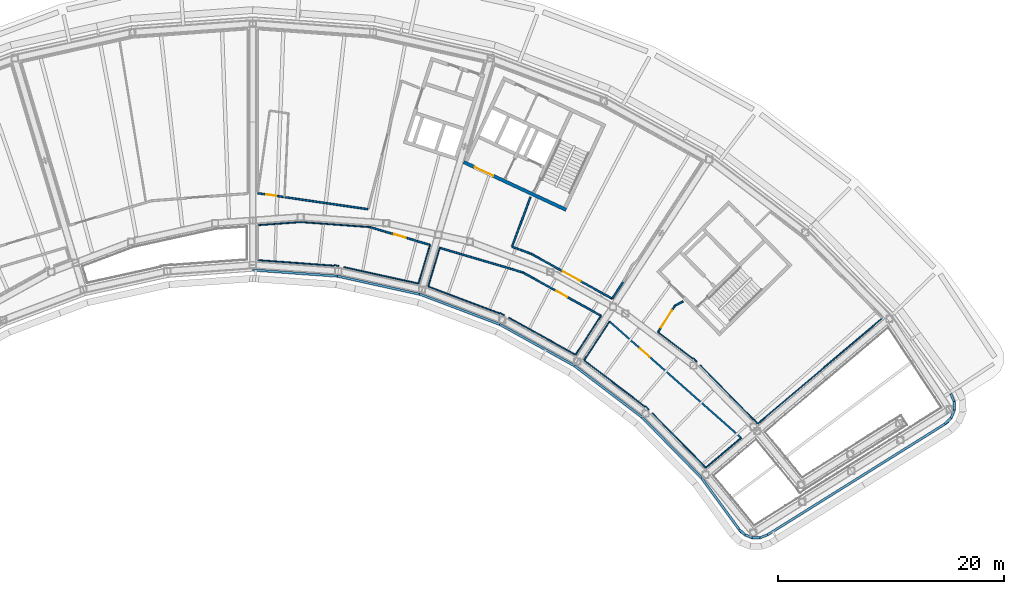
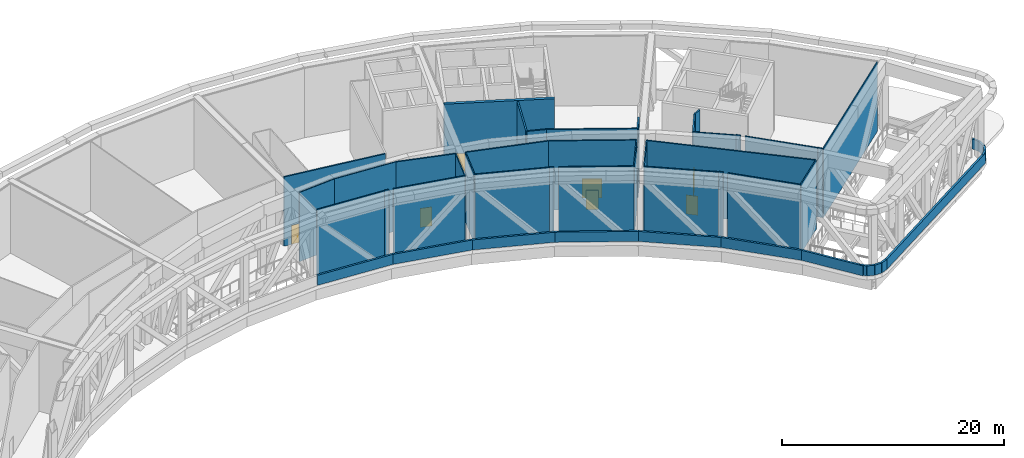
# One storey, part 9 of 24: 49 walls, 7 doors, 7 openings.
"""IFC4 building model written with IfcOpenShell, lengths in metres."""

from ifc_helpers import new_model, si_unit, direction, frame, frame_2d, origin, place, context, subcontext, project, spatial, rectangle, extrude, material, layer, layer_set, type_object, element, fill, save


model = new_model("IFC4")

# Units and contexts
model_context = context("Model", 3, precision=1e-05, world=origin(), true_north=direction((0.0, 1.0)))
body_context = subcontext(model_context, "Body", "Model", "MODEL_VIEW")
ifc_project = project(units=[si_unit("LENGTHUNIT", "METRE"), si_unit("AREAUNIT", "SQUARE_METRE"), si_unit("VOLUMEUNIT", "CUBIC_METRE"), si_unit("PLANEANGLEUNIT", "RADIAN"), si_unit("MASSUNIT", "GRAM", prefix="KILO")], contexts=[model_context])

# Site, building, storey
site_placement = place(None, origin())
site = spatial("IfcSite", under=ifc_project, at=site_placement, CompositionType="ELEMENT")
building_placement = place(site_placement, origin())
building = spatial("IfcBuilding", under=site, at=building_placement, Name="Tuul Gate Civic Tower", CompositionType="ELEMENT")
storey_placement = place(building_placement, frame((0.0, 0.0, 277.800048828125)))
storey = spatial("IfcBuildingStorey", under=building, at=storey_placement, Name="Wind floor 2", CompositionType="ELEMENT", Elevation=277.800048828125)

# Wall, opening, door
ifc_material_1 = material(Name="Concrete C50/60", Category="concrete")
ifc_layer_1 = layer(ifc_material_1, 0.300048828125)
ifc_layer_set_1 = layer_set([ifc_layer_1], Name="Concrete C50/60")
wall_type_1 = type_object("IfcWallType", Name="Core wall C50/60", PredefinedType="SHEAR", material=ifc_layer_set_1)
wall_1_placement = place(storey_placement, frame((34.5283203125, -7.25, 0.0), z_axis=(0.0, 0.0, 1.0), x_axis=(-0.906310338845, 0.422612789327, 0.0)))
wall_1 = element("IfcWall", 1, at=wall_1_placement, inside=storey, type_object=wall_type_1, Name="Core wall", PredefinedType="SHEAR", context=body_context, shape_type="SweptSolid", body=[
    extrude(rectangle(XDim=9.999755859375, YDim=0.300048828125, at=frame_2d((5.0, 0.0))), origin(), (0.0, 0.0, 1.0), 7.599853515625),
])
opening_1_placement = place(wall_1_placement, frame((7.125, 0.0, 0.0)))
opening_1 = element("IfcOpeningElement", 2, at=opening_1_placement, cuts=wall_1, Name="Opening LB-E3-LOBBY-1", PredefinedType="OPENING", context=body_context, shape_type="SweptSolid", body=[
    extrude(rectangle(XDim=1.800048828125, YDim=2.10009765625, at=frame_2d((0.89990234375, 1.050048828125))), frame((0.0, 0.16015625, 0.0), z_axis=(0.0, -1.0, 0.0), x_axis=(1.0, 0.0, 0.0)), (0.0, 0.0, 1.0), 0.320068359375),
])
ifc_material_2 = material(Name="Steel", Category="steel")
door_type_1 = type_object("IfcDoorType", Name="Lobby door", OperationType="DOUBLE_DOOR_SINGLE_SWING", PredefinedType="DOOR", material=ifc_material_2)
door_1_placement = place(opening_1_placement, frame((1.800048828125, 0.0, 0.0), z_axis=(0.0, 0.0, 1.0), x_axis=(-1.0, 0.0, 0.0)))
door_1 = element("IfcDoor", 3, at=door_1_placement, inside=storey, type_object=door_type_1, Name="Lobby door E3-LOBBY", OperationType="DOUBLE_DOOR_SINGLE_SWING", OverallHeight=2.10009765625, OverallWidth=1.800048828125, PredefinedType="DOOR", context=body_context, shape_type="SweptSolid", body=[
    extrude(rectangle(XDim=1.800048828125, YDim=2.10009765625, at=frame_2d((0.900146484375, 1.050048828125))), frame((0.0, 0.02490234375, 0.0), z_axis=(0.0, -1.0, 0.0), x_axis=(1.0, 0.0, 0.0)), (0.0, 0.0, 1.0), 0.050048828125),
])
fill(opening_1, door_1)

ifc_material_3 = material(Name="Gypsum board partition")
ifc_layer_2 = layer(ifc_material_3, 0.14990234375)
ifc_layer_set_2 = layer_set([ifc_layer_2], Name="Gypsum board partition")
wall_type_2 = type_object("IfcWallType", Name="Corridor wall P150", PredefinedType="PARTITIONING", material=ifc_layer_set_2)
wall_2_placement = place(storey_placement, frame((42.66748046875, -18.080078125, 0.0), z_axis=(0.0, 0.0, 1.0), x_axis=(0.538401389077, 0.842688521483, 0.0)))
wall_2 = element("IfcWall", 4, at=wall_2_placement, inside=storey, type_object=wall_type_2, Name="p007", PredefinedType="PARTITIONING", context=body_context, shape_type="SweptSolid", body=[
    extrude(rectangle(XDim=2.783203125, YDim=0.14990234375, at=frame_2d((1.3916015625, 0.0))), origin(), (0.0, 0.0, 1.0), 7.599853515625),
])
opening_2_placement = place(wall_2_placement, frame((0.49169921875, 0.0, 0.0)))
opening_2 = element("IfcOpeningElement", 5, at=opening_2_placement, cuts=wall_2, Name="Opening AG-D02", PredefinedType="OPENING", context=body_context, shape_type="SweptSolid", body=[
    extrude(rectangle(XDim=1.800048828125, YDim=2.10009765625, at=frame_2d((0.89990234375, 1.050048828125))), frame((0.0, 0.0849609375, 0.0), z_axis=(0.0, -1.0, 0.0), x_axis=(1.0, 0.0, 0.0)), (0.0, 0.0, 1.0), 0.169921875),
])
ifc_material_4 = material(Name="Timber door leaf, double", Category="wood")
door_type_2 = type_object("IfcDoorType", Name="Door D18", OperationType="DOUBLE_DOOR_SINGLE_SWING", PredefinedType="DOOR", material=ifc_material_4)
door_2_placement = place(opening_2_placement, frame((1.800048828125, 0.0, 0.0), z_axis=(0.0, 0.0, 1.0), x_axis=(-1.0, 0.0, 0.0)))
door_2 = element("IfcDoor", 6, at=door_2_placement, inside=storey, type_object=door_type_2, Name="Door AG-D02", OperationType="DOUBLE_DOOR_SINGLE_SWING", OverallHeight=2.10009765625, OverallWidth=1.800048828125, PredefinedType="DOOR", context=body_context, shape_type="SweptSolid", body=[
    extrude(rectangle(XDim=1.800048828125, YDim=2.10009765625, at=frame_2d((0.900146484375, 1.050048828125))), frame((0.0, 0.02490234375, 0.0), z_axis=(0.0, -1.0, 0.0), x_axis=(1.0, 0.0, 0.0)), (0.0, 0.0, 1.0), 0.050048828125),
])
fill(opening_2, door_2)

# Wall
wall_3_placement = place(storey_placement, frame((44.172607421875, -15.7294921875, 0.0), z_axis=(0.0, 0.0, 1.0), x_axis=(0.885192937548, 0.465224100102, 0.0)))
element("IfcWall", 7, at=wall_3_placement, inside=storey, type_object=wall_type_2, Name="p008", PredefinedType="PARTITIONING", context=body_context, shape_type="SweptSolid", body=[
    extrude(rectangle(XDim=0.809326171875, YDim=0.14990234375, at=frame_2d((0.40478515625, 0.0))), origin(), (0.0, 0.0, 1.0), 7.599853515625),
])

# Wall, opening, door
wall_4_placement = place(storey_placement, frame((38.36669921875, -17.127685546875, 0.0), z_axis=(0.0, 0.0, 1.0), x_axis=(0.74933705391, -0.662188779456, 0.0)))
wall_4 = element("IfcWall", 8, at=wall_4_placement, inside=storey, type_object=wall_type_2, Name="p010", PredefinedType="PARTITIONING", context=body_context, shape_type="SweptSolid", body=[
    extrude(rectangle(XDim=15.556396484375, YDim=0.14990234375, at=frame_2d((7.7783203125, 0.0))), origin(), (0.0, 0.0, 1.0), 7.599853515625),
])
opening_3_placement = place(wall_4_placement, frame((3.6279296875, 0.0, 0.0)))
opening_3 = element("IfcOpeningElement", 9, at=opening_3_placement, cuts=wall_4, Name="Opening AG-D03", PredefinedType="OPENING", context=body_context, shape_type="SweptSolid", body=[
    extrude(rectangle(XDim=1.10009765625, YDim=2.10009765625, at=frame_2d((0.550048828125, 1.050048828125))), frame((0.0, 0.0849609375, 0.0), z_axis=(0.0, -1.0, 0.0), x_axis=(1.0, 0.0, 0.0)), (0.0, 0.0, 1.0), 0.169921875),
])
ifc_material_5 = material(Name="Timber door leaf", Category="wood")
door_type_3 = type_object("IfcDoorType", Name="Door D11", OperationType="NOTDEFINED", PredefinedType="DOOR", material=ifc_material_5)
door_3_placement = place(opening_3_placement, frame((1.10009765625, 0.0, 0.0), z_axis=(0.0, 0.0, 1.0), x_axis=(-1.0, 0.0, 0.0)))
door_3 = element("IfcDoor", 10, at=door_3_placement, inside=storey, type_object=door_type_3, Name="Door AG-D03", OperationType="SINGLE_SWING_LEFT", OverallHeight=2.10009765625, OverallWidth=1.10009765625, PredefinedType="DOOR", context=body_context, shape_type="SweptSolid", body=[
    extrude(rectangle(XDim=1.10009765625, YDim=2.10009765625, at=frame_2d((0.550048828125, 1.050048828125))), frame((0.0, 0.02490234375, 0.0), z_axis=(0.0, -1.0, 0.0), x_axis=(1.0, 0.0, 0.0)), (0.0, 0.0, 1.0), 0.050048828125),
])
fill(opening_3, door_3)

# Wall
wall_5_placement = place(storey_placement, frame((38.607666015625, -15.1123046875, 0.0), z_axis=(0.0, 0.0, 1.0), x_axis=(0.546880852499, 0.837210447361, 0.0)))
element("IfcWall", 11, at=wall_5_placement, inside=storey, type_object=wall_type_2, Name="p011", PredefinedType="PARTITIONING", context=body_context, shape_type="SweptSolid", body=[
    extrude(rectangle(XDim=1.78515625, YDim=0.14990234375, at=frame_2d((0.892578125, 0.0))), origin(), (0.0, 0.0, 1.0), 7.599853515625),
])

# Wall, opening, door
wall_6_placement = place(storey_placement, frame((31.4404296875, -11.14599609375, 0.0), z_axis=(0.0, 0.0, 1.0), x_axis=(0.874965811505, -0.484184705147, 0.0)))
wall_6 = element("IfcWall", 12, at=wall_6_placement, inside=storey, type_object=wall_type_2, Name="p014", PredefinedType="PARTITIONING", context=body_context, shape_type="SweptSolid", body=[
    extrude(rectangle(XDim=8.191650390625, YDim=0.14990234375, at=frame_2d((4.095703125, 0.0))), origin(), (0.0, 0.0, 1.0), 7.599853515625),
])
opening_4_placement = place(wall_6_placement, frame((3.19580078125, 0.0, 0.0)))
opening_4 = element("IfcOpeningElement", 13, at=opening_4_placement, cuts=wall_6, Name="Opening AG-D04", PredefinedType="OPENING", context=body_context, shape_type="SweptSolid", body=[
    extrude(rectangle(XDim=1.800048828125, YDim=2.10009765625, at=frame_2d((0.89990234375, 1.050048828125))), frame((0.0, 0.0849609375, 0.0), z_axis=(0.0, -1.0, 0.0), x_axis=(1.0, 0.0, 0.0)), (0.0, 0.0, 1.0), 0.169921875),
])
door_4_placement = place(opening_4_placement, origin())
door_4 = element("IfcDoor", 14, at=door_4_placement, inside=storey, type_object=door_type_2, Name="Door AG-D04", OperationType="DOUBLE_DOOR_SINGLE_SWING", OverallHeight=2.10009765625, OverallWidth=1.800048828125, PredefinedType="DOOR", context=body_context, shape_type="SweptSolid", body=[
    extrude(rectangle(XDim=1.800048828125, YDim=2.10009765625, at=frame_2d((0.89990234375, 1.050048828125))), frame((0.0, 0.02490234375, 0.0), z_axis=(0.0, -1.0, 0.0), x_axis=(1.0, 0.0, 0.0)), (0.0, 0.0, 1.0), 0.050048828125),
])
fill(opening_4, door_4)

# Walls
wall_7_placement = place(storey_placement, frame((29.75927734375, -10.521240234375, 0.0), z_axis=(0.0, 0.0, 1.0), x_axis=(0.937365593139, -0.348347161319, 0.0)))
element("IfcWall", 15, at=wall_7_placement, inside=storey, type_object=wall_type_2, Name="p015", PredefinedType="PARTITIONING", context=body_context, shape_type="SweptSolid", body=[
    extrude(rectangle(XDim=1.79345703125, YDim=0.14990234375, at=frame_2d((0.896728515625, 0.0))), origin(), (0.0, 0.0, 1.0), 7.599853515625),
])
wall_8_placement = place(storey_placement, frame((29.74755859375, -10.49560546875, 0.0), z_axis=(0.0, 0.0, 1.0), x_axis=(0.348273027504, 0.937393139677, 0.0)))
element("IfcWall", 16, at=wall_8_placement, inside=storey, type_object=wall_type_2, Name="p016", PredefinedType="PARTITIONING", context=body_context, shape_type="SweptSolid", body=[
    extrude(rectangle(XDim=4.677001953125, YDim=0.14990234375, at=frame_2d((2.33837890625, 0.0))), origin(), (0.0, 0.0, 1.0), 7.599853515625),
])

# Wall, opening, door
wall_9_placement = place(storey_placement, frame((30.68701171875, -12.78662109375, 0.0), z_axis=(0.0, 0.0, 1.0), x_axis=(0.874978509433, -0.484161758124, 0.0)))
wall_9 = element("IfcWall", 17, at=wall_9_placement, inside=storey, type_object=wall_type_2, Name="p017", PredefinedType="PARTITIONING", context=body_context, shape_type="SweptSolid", body=[
    extrude(rectangle(XDim=7.9248046875, YDim=0.14990234375, at=frame_2d((3.96240234375, 0.0))), origin(), (0.0, 0.0, 1.0), 7.599853515625),
])
opening_5_placement = place(wall_9_placement, frame((3.41259765625, 0.0, 0.0)))
opening_5 = element("IfcOpeningElement", 18, at=opening_5_placement, cuts=wall_9, Name="Opening AG-D05", PredefinedType="OPENING", context=body_context, shape_type="SweptSolid", body=[
    extrude(rectangle(XDim=1.10009765625, YDim=2.10009765625, at=frame_2d((0.550048828125, 1.050048828125))), frame((0.0, 0.0849609375, 0.0), z_axis=(0.0, -1.0, 0.0), x_axis=(1.0, 0.0, 0.0)), (0.0, 0.0, 1.0), 0.169921875),
])
door_5_placement = place(opening_5_placement, frame((1.10009765625, 0.0, 0.0), z_axis=(0.0, 0.0, 1.0), x_axis=(-1.0, 0.0, 0.0)))
door_5 = element("IfcDoor", 19, at=door_5_placement, inside=storey, type_object=door_type_3, Name="Door AG-D05", OperationType="SINGLE_SWING_LEFT", OverallHeight=2.10009765625, OverallWidth=1.10009765625, PredefinedType="DOOR", context=body_context, shape_type="SweptSolid", body=[
    extrude(rectangle(XDim=1.10009765625, YDim=2.10009765625, at=frame_2d((0.550048828125, 1.050048828125))), frame((0.0, 0.02490234375, 0.0), z_axis=(0.0, -1.0, 0.0), x_axis=(1.0, 0.0, 0.0)), (0.0, 0.0, 1.0), 0.050048828125),
])
fill(opening_5, door_5)

wall_10_placement = place(storey_placement, frame((17.1591796875, -8.776611328125, 0.0), z_axis=(0.0, 0.0, 1.0), x_axis=(0.958766600953, -0.284194660217, 0.0)))
wall_10 = element("IfcWall", 20, at=wall_10_placement, inside=storey, type_object=wall_type_2, Name="p018", PredefinedType="PARTITIONING", context=body_context, shape_type="SweptSolid", body=[
    extrude(rectangle(XDim=5.55029296875, YDim=0.14990234375, at=frame_2d((2.775146484375, 0.0))), origin(), (0.0, 0.0, 1.0), 7.599853515625),
])
opening_6_placement = place(wall_10_placement, frame((2.225341796875, 0.0, 0.0)))
opening_6 = element("IfcOpeningElement", 21, at=opening_6_placement, cuts=wall_10, Name="Opening AG-D06", PredefinedType="OPENING", context=body_context, shape_type="SweptSolid", body=[
    extrude(rectangle(XDim=1.10009765625, YDim=2.10009765625, at=frame_2d((0.550048828125, 1.050048828125))), frame((0.0, 0.0849609375, 0.0), z_axis=(0.0, -1.0, 0.0), x_axis=(1.0, 0.0, 0.0)), (0.0, 0.0, 1.0), 0.169921875),
])
door_6_placement = place(opening_6_placement, frame((1.10009765625, 0.0, 0.0), z_axis=(0.0, 0.0, 1.0), x_axis=(-1.0, 0.0, 0.0)))
door_6 = element("IfcDoor", 22, at=door_6_placement, inside=storey, type_object=door_type_3, Name="Door AG-D06", OperationType="SINGLE_SWING_LEFT", OverallHeight=2.10009765625, OverallWidth=1.10009765625, PredefinedType="DOOR", context=body_context, shape_type="SweptSolid", body=[
    extrude(rectangle(XDim=1.10009765625, YDim=2.10009765625, at=frame_2d((0.550048828125, 1.050048828125))), frame((0.0, 0.02490234375, 0.0), z_axis=(0.0, -1.0, 0.0), x_axis=(1.0, 0.0, 0.0)), (0.0, 0.0, 1.0), 0.050048828125),
])
fill(opening_6, door_6)

# Wall
wall_11_placement = place(storey_placement, frame((23.34375, -10.60986328125, 0.0), z_axis=(0.0, 0.0, 1.0), x_axis=(0.958763375683, -0.284205540847, 0.0)))
element("IfcWall", 23, at=wall_11_placement, inside=storey, type_object=wall_type_2, Name="p019", PredefinedType="PARTITIONING", context=body_context, shape_type="SweptSolid", body=[
    extrude(rectangle(XDim=7.6591796875, YDim=0.14990234375, at=frame_2d((3.82958984375, 0.0))), origin(), (0.0, 0.0, 1.0), 7.599853515625),
])

# Wall, opening, door
wall_12_placement = place(storey_placement, frame((7.238037109375, -5.779541015625, 0.0), z_axis=(0.0, 0.0, 1.0), x_axis=(0.989616139231, -0.143735510479, 0.0)))
wall_12 = element("IfcWall", 24, at=wall_12_placement, inside=storey, type_object=wall_type_2, Name="p025", PredefinedType="PARTITIONING", context=body_context, shape_type="SweptSolid", body=[
    extrude(rectangle(XDim=9.849853515625, YDim=0.14990234375, at=frame_2d((4.9248046875, 0.0))), origin(), (0.0, 0.0, 1.0), 7.599853515625),
])
opening_7_placement = place(wall_12_placement, frame((0.743408203125, 0.0, 0.0)))
opening_7 = element("IfcOpeningElement", 25, at=opening_7_placement, cuts=wall_12, Name="Opening AG-D08", PredefinedType="OPENING", context=body_context, shape_type="SweptSolid", body=[
    extrude(rectangle(XDim=0.89990234375, YDim=2.10009765625, at=frame_2d((0.449951171875, 1.050048828125))), frame((0.0, 0.0849609375, 0.0), z_axis=(0.0, -1.0, 0.0), x_axis=(1.0, 0.0, 0.0)), (0.0, 0.0, 1.0), 0.169921875),
])
ifc_material_6 = material(Name="Timber door leaf", Category="wood")
door_type_4 = type_object("IfcDoorType", Name="Door D09", OperationType="NOTDEFINED", PredefinedType="DOOR", material=ifc_material_6)
door_7_placement = place(opening_7_placement, origin())
door_7 = element("IfcDoor", 26, at=door_7_placement, inside=storey, type_object=door_type_4, Name="Door AG-D08", OperationType="SINGLE_SWING_RIGHT", OverallHeight=2.10009765625, OverallWidth=0.89990234375, PredefinedType="DOOR", context=body_context, shape_type="SweptSolid", body=[
    extrude(rectangle(XDim=0.89990234375, YDim=2.10009765625, at=frame_2d((0.449951171875, 1.050048828125))), frame((0.0, 0.02490234375, 0.0), z_axis=(0.0, -1.0, 0.0), x_axis=(1.0, 0.0, 0.0)), (0.0, 0.0, 1.0), 0.050048828125),
])
fill(opening_7, door_7)

# Walls
ifc_material_7 = material(Name="Concrete C40/50", Category="concrete")
ifc_layer_3 = layer(ifc_material_7, 0.199951171875)
ifc_layer_set_3 = layer_set([ifc_layer_3], Name="Concrete C40/50")
wall_type_3 = type_object("IfcWallType", Name="Crown parapet", PredefinedType="PARAPET", material=ifc_layer_set_3)
wall_13_placement = place(storey_placement, frame((68.051513671875, -26.2080078125, 0.0), z_axis=(0.0, 0.0, 1.0), x_axis=(0.722793438789, 0.691064139457, 0.0)))
element("IfcWall", 27, at=wall_13_placement, inside=storey, type_object=wall_type_3, Name="Parapet", PredefinedType="PARAPET", context=body_context, shape_type="SweptSolid", body=[
    extrude(rectangle(XDim=0.76953125, YDim=0.199951171875, at=frame_2d((0.384765625, 0.0))), origin(), (0.0, 0.0, 1.0), 1.099853515625),
])
wall_14_placement = place(storey_placement, frame((68.607666015625, -25.67626953125, 0.0), z_axis=(0.0, 0.0, 1.0), x_axis=(0.38470743495, 0.923038563384, 0.0)))
element("IfcWall", 28, at=wall_14_placement, inside=storey, type_object=wall_type_3, Name="Parapet", PredefinedType="PARAPET", context=body_context, shape_type="SweptSolid", body=[
    extrude(rectangle(XDim=0.753173828125, YDim=0.199951171875, at=frame_2d((0.37646484375, 0.0))), origin(), (0.0, 0.0, 1.0), 1.099853515625),
])
wall_15_placement = place(storey_placement, frame((68.8974609375, -24.98095703125, 0.0), z_axis=(0.0, 0.0, 1.0), x_axis=(-0.014594617963, 0.999893492891, 0.0)))
element("IfcWall", 29, at=wall_15_placement, inside=storey, type_object=wall_type_3, Name="Parapet", PredefinedType="PARAPET", context=body_context, shape_type="SweptSolid", body=[
    extrude(rectangle(XDim=0.752685546875, YDim=0.199951171875, at=frame_2d((0.37646484375, 0.0))), origin(), (0.0, 0.0, 1.0), 1.099853515625),
])
wall_16_placement = place(storey_placement, frame((68.886474609375, -24.228271484375, 0.0), z_axis=(0.0, 0.0, 1.0), x_axis=(-0.411935592719, 0.911212964927, 0.0)))
element("IfcWall", 30, at=wall_16_placement, inside=storey, type_object=wall_type_3, Name="Parapet", PredefinedType="PARAPET", context=body_context, shape_type="SweptSolid", body=[
    extrude(rectangle(XDim=0.768798828125, YDim=0.199951171875, at=frame_2d((0.38427734375, 0.0))), origin(), (0.0, 0.0, 1.0), 1.099853515625),
])
wall_17_placement = place(storey_placement, frame((6.7880859375, -12.57568359375, 0.0), z_axis=(0.0, 0.0, 1.0), x_axis=(0.997389572159, -0.072208319108, 0.0)))
element("IfcWall", 31, at=wall_17_placement, inside=storey, type_object=wall_type_3, Name="Parapet", PredefinedType="PARAPET", context=body_context, shape_type="SweptSolid", body=[
    extrude(rectangle(XDim=7.526123046875, YDim=0.199951171875, at=frame_2d((3.76318359375, 0.0))), origin(), (0.0, 0.0, 1.0), 1.099853515625),
])
wall_18_placement = place(storey_placement, frame((14.123291015625, -13.081298828125, 0.0), z_axis=(0.0, 0.0, 1.0), x_axis=(0.976564448175, -0.215225181055, 0.0)))
element("IfcWall", 32, at=wall_18_placement, inside=storey, type_object=wall_type_3, Name="Parapet", PredefinedType="PARAPET", context=body_context, shape_type="SweptSolid", body=[
    extrude(rectangle(XDim=7.7021484375, YDim=0.199951171875, at=frame_2d((3.85107421875, 0.0))), origin(), (0.0, 0.0, 1.0), 1.099853515625),
])
wall_19_placement = place(storey_placement, frame((21.54345703125, -14.700439453125, 0.0), z_axis=(0.0, 0.0, 1.0), x_axis=(0.935336017353, -0.353760561173, 0.0)))
element("IfcWall", 33, at=wall_19_placement, inside=storey, type_object=wall_type_3, Name="Parapet", PredefinedType="PARAPET", context=body_context, shape_type="SweptSolid", body=[
    extrude(rectangle(XDim=7.635498046875, YDim=0.199951171875, at=frame_2d((3.81787109375, 0.0))), origin(), (0.0, 0.0, 1.0), 1.099853515625),
])
wall_20_placement = place(storey_placement, frame((28.6455078125, -17.37939453125, 0.0), z_axis=(0.0, 0.0, 1.0), x_axis=(0.874643517098, -0.484766663456, 0.0)))
element("IfcWall", 34, at=wall_20_placement, inside=storey, type_object=wall_type_3, Name="Parapet", PredefinedType="PARAPET", context=body_context, shape_type="SweptSolid", body=[
    extrude(rectangle(XDim=7.572021484375, YDim=0.199951171875, at=frame_2d((3.7861328125, 0.0))), origin(), (0.0, 0.0, 1.0), 1.099853515625),
])
wall_21_placement = place(storey_placement, frame((35.268310546875, -21.050048828125, 0.0), z_axis=(0.0, 0.0, 1.0), x_axis=(0.795650592846, -0.605755837036, 0.0)))
element("IfcWall", 35, at=wall_21_placement, inside=storey, type_object=wall_type_3, Name="Parapet", PredefinedType="PARAPET", context=body_context, shape_type="SweptSolid", body=[
    extrude(rectangle(XDim=7.5263671875, YDim=0.199951171875, at=frame_2d((3.76318359375, 0.0))), origin(), (0.0, 0.0, 1.0), 1.099853515625),
])
wall_22_placement = place(storey_placement, frame((41.256591796875, -25.609130859375, 0.0), z_axis=(0.0, 0.0, 1.0), x_axis=(0.699918323804, -0.714222892383, 0.0)))
element("IfcWall", 36, at=wall_22_placement, inside=storey, type_object=wall_type_3, Name="Parapet", PredefinedType="PARAPET", context=body_context, shape_type="SweptSolid", body=[
    extrude(rectangle(XDim=7.526611328125, YDim=0.199951171875, at=frame_2d((3.76318359375, 0.0))), origin(), (0.0, 0.0, 1.0), 1.099853515625),
])
wall_23_placement = place(storey_placement, frame((46.524658203125, -30.98486328125, 0.0), z_axis=(0.0, 0.0, 1.0), x_axis=(0.58981626767, -0.807537473057, 0.0)))
element("IfcWall", 37, at=wall_23_placement, inside=storey, type_object=wall_type_3, Name="Parapet", PredefinedType="PARAPET", context=body_context, shape_type="SweptSolid", body=[
    extrude(rectangle(XDim=6.05078125, YDim=0.199951171875, at=frame_2d((3.025390625, 0.0))), origin(), (0.0, 0.0, 1.0), 1.099853515625),
])
wall_24_placement = place(storey_placement, frame((49.851806640625, -35.5400390625, 0.0), z_axis=(0.0, 0.0, 1.0), x_axis=(0.730176325427, -0.68325876049, 0.0)))
element("IfcWall", 38, at=wall_24_placement, inside=storey, type_object=wall_type_3, Name="Parapet", PredefinedType="PARAPET", context=body_context, shape_type="SweptSolid", body=[
    extrude(rectangle(XDim=0.702392578125, YDim=0.199951171875, at=frame_2d((0.35107421875, 0.0))), origin(), (0.0, 0.0, 1.0), 1.099853515625),
])
wall_25_placement = place(storey_placement, frame((50.36474609375, -36.02001953125, 0.0), z_axis=(0.0, 0.0, 1.0), x_axis=(0.929233590569, -0.36949280664, 0.0)))
element("IfcWall", 39, at=wall_25_placement, inside=storey, type_object=wall_type_3, Name="Parapet", PredefinedType="PARAPET", context=body_context, shape_type="SweptSolid", body=[
    extrude(rectangle(XDim=0.687744140625, YDim=0.199951171875, at=frame_2d((0.34375, 0.0))), origin(), (0.0, 0.0, 1.0), 1.099853515625),
])
wall_26_placement = place(storey_placement, frame((51.00390625, -36.274169921875, 0.0), z_axis=(0.0, 0.0, 1.0), x_axis=(0.999992386922, -0.003902063234, 0.0)))
element("IfcWall", 40, at=wall_26_placement, inside=storey, type_object=wall_type_3, Name="Parapet", PredefinedType="PARAPET", context=body_context, shape_type="SweptSolid", body=[
    extrude(rectangle(XDim=0.688232421875, YDim=0.199951171875, at=frame_2d((0.34423828125, 0.0))), origin(), (0.0, 0.0, 1.0), 1.099853515625),
])
wall_27_placement = place(storey_placement, frame((51.692138671875, -36.27685546875, 0.0), z_axis=(0.0, 0.0, 1.0), x_axis=(0.931560391115, 0.363586630263, 0.0)))
element("IfcWall", 41, at=wall_27_placement, inside=storey, type_object=wall_type_3, Name="Parapet", PredefinedType="PARAPET", context=body_context, shape_type="SweptSolid", body=[
    extrude(rectangle(XDim=0.702392578125, YDim=0.199951171875, at=frame_2d((0.35107421875, 0.0))), origin(), (0.0, 0.0, 1.0), 1.099853515625),
])
wall_28_placement = place(storey_placement, frame((52.346435546875, -36.021484375, 0.0), z_axis=(0.0, 0.0, 1.0), x_axis=(0.848049066158, 0.529917711903, 0.0)))
element("IfcWall", 42, at=wall_28_placement, inside=storey, type_object=wall_type_3, Name="Parapet", PredefinedType="PARAPET", context=body_context, shape_type="SweptSolid", body=[
    extrude(rectangle(XDim=18.912353515625, YDim=0.199951171875, at=frame_2d((9.4560546875, 0.0))), origin(), (0.0, 0.0, 1.0), 1.099853515625),
])
ifc_material_8 = material(Name="Gypsum board partition")
ifc_layer_4 = layer(ifc_material_8, 0.10009765625)
ifc_layer_set_4 = layer_set([ifc_layer_4], Name="Gypsum board partition")
wall_type_4 = type_object("IfcWallType", Name="Partition P100", PredefinedType="PARTITIONING", material=ifc_layer_set_4)
wall_29_placement = place(storey_placement, frame((62.5, -16.853515625, 0.0), z_axis=(0.0, 0.0, 1.0), x_axis=(-0.76282477425, -0.646605261184, 0.0)))
element("IfcWall", 43, at=wall_29_placement, inside=storey, type_object=wall_type_4, Name="p040", PredefinedType="PARTITIONING", context=body_context, shape_type="SweptSolid", body=[
    extrude(rectangle(XDim=14.43798828125, YDim=0.10009765625, at=frame_2d((7.218994140625, 0.0))), origin(), (0.0, 0.0, 1.0), 7.599853515625),
])
wall_30_placement = place(storey_placement, frame((51.447265625, -26.149169921875, 0.0), z_axis=(0.0, 0.0, 1.0), x_axis=(-0.634473137027, 0.772944912908, 0.0)))
element("IfcWall", 44, at=wall_30_placement, inside=storey, type_object=wall_type_4, Name="p041", PredefinedType="PARTITIONING", context=body_context, shape_type="SweptSolid", body=[
    extrude(rectangle(XDim=0.43017578125, YDim=0.10009765625, at=frame_2d((0.215087890625, 0.0))), origin(), (0.0, 0.0, 1.0), 7.599853515625),
])
wall_31_placement = place(storey_placement, frame((51.14501953125, -25.8408203125, 0.0), z_axis=(0.0, 0.0, 1.0), x_axis=(-0.700024316483, 0.714119007122, 0.0)))
element("IfcWall", 45, at=wall_31_placement, inside=storey, type_object=wall_type_4, Name="p042", PredefinedType="PARTITIONING", context=body_context, shape_type="SweptSolid", body=[
    extrude(rectangle(XDim=6.7900390625, YDim=0.10009765625, at=frame_2d((3.39501953125, 0.0))), origin(), (0.0, 0.0, 1.0), 7.599853515625),
])
wall_32_placement = place(storey_placement, frame((46.096435546875, -20.690673828125, 0.0), z_axis=(0.0, 0.0, 1.0), x_axis=(-0.700053868945, 0.714090036743, 0.0)))
element("IfcWall", 46, at=wall_32_placement, inside=storey, type_object=wall_type_4, Name="p043", PredefinedType="PARTITIONING", context=body_context, shape_type="SweptSolid", body=[
    extrude(rectangle(XDim=0.41748046875, YDim=0.10009765625, at=frame_2d((0.208740234375, 0.0))), origin(), (0.0, 0.0, 1.0), 7.599853515625),
])
wall_33_placement = place(storey_placement, frame((45.760986328125, -20.435302734375, 0.0), z_axis=(0.0, 0.0, 1.0), x_axis=(-0.795646444579, 0.60576128568, 0.0)))
element("IfcWall", 47, at=wall_33_placement, inside=storey, type_object=wall_type_4, Name="p044", PredefinedType="PARTITIONING", context=body_context, shape_type="SweptSolid", body=[
    extrude(rectangle(XDim=3.887939453125, YDim=0.10009765625, at=frame_2d((1.94384765625, 0.0))), origin(), (0.0, 0.0, 1.0), 7.599853515625),
])
wall_34_placement = place(storey_placement, frame((50.023681640625, -27.428955078125, 0.0), z_axis=(0.0, 0.0, 1.0), x_axis=(-0.762798482617, -0.646636277143, 0.0)))
element("IfcWall", 48, at=wall_34_placement, inside=storey, type_object=wall_type_4, Name="p047", PredefinedType="PARTITIONING", context=body_context, shape_type="SweptSolid", body=[
    extrude(rectangle(XDim=4.098388671875, YDim=0.10009765625, at=frame_2d((2.04931640625, 0.0))), origin(), (0.0, 0.0, 1.0), 7.599853515625),
])
wall_35_placement = place(storey_placement, frame((46.8974609375, -30.0791015625, 0.0), z_axis=(0.0, 0.0, 1.0), x_axis=(-0.699963825914, 0.714178298755, 0.0)))
element("IfcWall", 49, at=wall_35_placement, inside=storey, type_object=wall_type_4, Name="p048", PredefinedType="PARTITIONING", context=body_context, shape_type="SweptSolid", body=[
    extrude(rectangle(XDim=6.784423828125, YDim=0.10009765625, at=frame_2d((3.39208984375, 0.0))), origin(), (0.0, 0.0, 1.0), 7.599853515625),
])
wall_36_placement = place(storey_placement, frame((41.853515625, -24.9326171875, 0.0), z_axis=(0.0, 0.0, 1.0), x_axis=(-0.700053868945, 0.714090036743, 0.0)))
element("IfcWall", 50, at=wall_36_placement, inside=storey, type_object=wall_type_4, Name="p049", PredefinedType="PARTITIONING", context=body_context, shape_type="SweptSolid", body=[
    extrude(rectangle(XDim=0.41748046875, YDim=0.10009765625, at=frame_2d((0.208740234375, 0.0))), origin(), (0.0, 0.0, 1.0), 7.599853515625),
])
wall_37_placement = place(storey_placement, frame((41.51806640625, -24.67724609375, 0.0), z_axis=(0.0, 0.0, 1.0), x_axis=(-0.795625818976, 0.605788375738, 0.0)))
element("IfcWall", 51, at=wall_37_placement, inside=storey, type_object=wall_type_4, Name="p050", PredefinedType="PARTITIONING", context=body_context, shape_type="SweptSolid", body=[
    extrude(rectangle(XDim=6.783935546875, YDim=0.10009765625, at=frame_2d((3.39208984375, 0.0))), origin(), (0.0, 0.0, 1.0), 7.599853515625),
])
wall_38_placement = place(storey_placement, frame((36.12060546875, -20.567626953125, 0.0), z_axis=(0.0, 0.0, 1.0), x_axis=(0.54672088435, 0.837314919618, 0.0)))
element("IfcWall", 52, at=wall_38_placement, inside=storey, type_object=wall_type_4, Name="p051", PredefinedType="PARTITIONING", context=body_context, shape_type="SweptSolid", body=[
    extrude(rectangle(XDim=4.1083984375, YDim=0.10009765625, at=frame_2d((2.05419921875, 0.0))), origin(), (0.0, 0.0, 1.0), 7.599853515625),
])
wall_39_placement = place(storey_placement, frame((37.62109375, -16.62353515625, 0.0), z_axis=(0.0, 0.0, 1.0), x_axis=(-0.546721120086, -0.837314765695, 0.0)))
element("IfcWall", 53, at=wall_39_placement, inside=storey, type_object=wall_type_4, Name="p057", PredefinedType="PARTITIONING", context=body_context, shape_type="SweptSolid", body=[
    extrude(rectangle(XDim=4.12255859375, YDim=0.10009765625, at=frame_2d((2.061279296875, 0.0))), origin(), (0.0, 0.0, 1.0), 7.599853515625),
])
wall_40_placement = place(storey_placement, frame((35.3671875, -20.075439453125, 0.0), z_axis=(0.0, 0.0, 1.0), x_axis=(-0.874664372256, 0.484729033489, 0.0)))
element("IfcWall", 54, at=wall_40_placement, inside=storey, type_object=wall_type_4, Name="p058", PredefinedType="PARTITIONING", context=body_context, shape_type="SweptSolid", body=[
    extrude(rectangle(XDim=6.783935546875, YDim=0.10009765625, at=frame_2d((3.39208984375, 0.0))), origin(), (0.0, 0.0, 1.0), 7.599853515625),
])
wall_41_placement = place(storey_placement, frame((29.064697265625, -16.58251953125, 0.0), z_axis=(0.0, 0.0, 1.0), x_axis=(-0.874928607607, 0.484251929879, 0.0)))
element("IfcWall", 55, at=wall_41_placement, inside=storey, type_object=wall_type_4, Name="p059", PredefinedType="PARTITIONING", context=body_context, shape_type="SweptSolid", body=[
    extrude(rectangle(XDim=0.41748046875, YDim=0.10009765625, at=frame_2d((0.208740234375, 0.0))), origin(), (0.0, 0.0, 1.0), 7.599853515625),
])
wall_42_placement = place(storey_placement, frame((28.670166015625, -16.433349609375, 0.0), z_axis=(0.0, 0.0, 1.0), x_axis=(-0.935374761976, 0.353658104188, 0.0)))
element("IfcWall", 56, at=wall_42_placement, inside=storey, type_object=wall_type_4, Name="p060", PredefinedType="PARTITIONING", context=body_context, shape_type="SweptSolid", body=[
    extrude(rectangle(XDim=6.783935546875, YDim=0.10009765625, at=frame_2d((3.39208984375, 0.0))), origin(), (0.0, 0.0, 1.0), 7.599853515625),
])
wall_43_placement = place(storey_placement, frame((22.32470703125, -14.0341796875, 0.0), z_axis=(0.0, 0.0, 1.0), x_axis=(0.285228186092, 0.958459640183, 0.0)))
element("IfcWall", 57, at=wall_43_placement, inside=storey, type_object=wall_type_4, Name="p061", PredefinedType="PARTITIONING", context=body_context, shape_type="SweptSolid", body=[
    extrude(rectangle(XDim=3.57275390625, YDim=0.10009765625, at=frame_2d((1.786376953125, 0.0))), origin(), (0.0, 0.0, 1.0), 7.599853515625),
])
wall_44_placement = place(storey_placement, frame((22.480712890625, -10.35400390625, 0.0), z_axis=(0.0, 0.0, 1.0), x_axis=(-0.285158662494, -0.958480326978, 0.0)))
element("IfcWall", 58, at=wall_44_placement, inside=storey, type_object=wall_type_4, Name="p062", PredefinedType="PARTITIONING", context=body_context, shape_type="SweptSolid", body=[
    extrude(rectangle(XDim=3.57177734375, YDim=0.10009765625, at=frame_2d((1.785888671875, 0.0))), origin(), (0.0, 0.0, 1.0), 7.599853515625),
])
wall_45_placement = place(storey_placement, frame((21.462158203125, -13.777587890625, 0.0), z_axis=(0.0, 0.0, 1.0), x_axis=(-0.976562386162, 0.215234537039, 0.0)))
element("IfcWall", 59, at=wall_45_placement, inside=storey, type_object=wall_type_4, Name="p063", PredefinedType="PARTITIONING", context=body_context, shape_type="SweptSolid", body=[
    extrude(rectangle(XDim=6.7841796875, YDim=0.10009765625, at=frame_2d((3.39208984375, 0.0))), origin(), (0.0, 0.0, 1.0), 7.599853515625),
])
wall_46_placement = place(storey_placement, frame((14.425048828125, -12.2265625, 0.0), z_axis=(0.0, 0.0, 1.0), x_axis=(-0.976570782862, 0.215196435984, 0.0)))
element("IfcWall", 60, at=wall_46_placement, inside=storey, type_object=wall_type_4, Name="p064", PredefinedType="PARTITIONING", context=body_context, shape_type="SweptSolid", body=[
    extrude(rectangle(XDim=0.41748046875, YDim=0.10009765625, at=frame_2d((0.208740234375, 0.0))), origin(), (0.0, 0.0, 1.0), 7.599853515625),
])
wall_47_placement = place(storey_placement, frame((14.00439453125, -12.196044921875, 0.0), z_axis=(0.0, 0.0, 1.0), x_axis=(-0.997380470642, 0.072333925527, 0.0)))
element("IfcWall", 61, at=wall_47_placement, inside=storey, type_object=wall_type_4, Name="p065", PredefinedType="PARTITIONING", context=body_context, shape_type="SweptSolid", body=[
    extrude(rectangle(XDim=6.7841796875, YDim=0.10009765625, at=frame_2d((3.39208984375, 0.0))), origin(), (0.0, 0.0, 1.0), 7.599853515625),
])
wall_48_placement = place(storey_placement, frame((7.238037109375, -8.607666015625, 0.0), z_axis=(0.0, 0.0, 1.0), x_axis=(0.997393105986, 0.072159490933, 0.0)))
element("IfcWall", 62, at=wall_48_placement, inside=storey, type_object=wall_type_4, Name="p067", PredefinedType="PARTITIONING", context=body_context, shape_type="SweptSolid", body=[
    extrude(rectangle(XDim=3.802978515625, YDim=0.10009765625, at=frame_2d((1.9013671875, 0.0))), origin(), (0.0, 0.0, 1.0), 7.599853515625),
])
wall_49_placement = place(storey_placement, frame((11.031005859375, -8.333251953125, 0.0), z_axis=(0.0, 0.0, 1.0), x_axis=(0.997393133229, -0.072159114376, 0.0)))
element("IfcWall", 63, at=wall_49_placement, inside=storey, type_object=wall_type_4, Name="p068", PredefinedType="PARTITIONING", context=body_context, shape_type="SweptSolid", body=[
    extrude(rectangle(XDim=6.144287109375, YDim=0.10009765625, at=frame_2d((3.072265625, 0.0))), origin(), (0.0, 0.0, 1.0), 7.599853515625),
])

save(model, "model.ifc")
